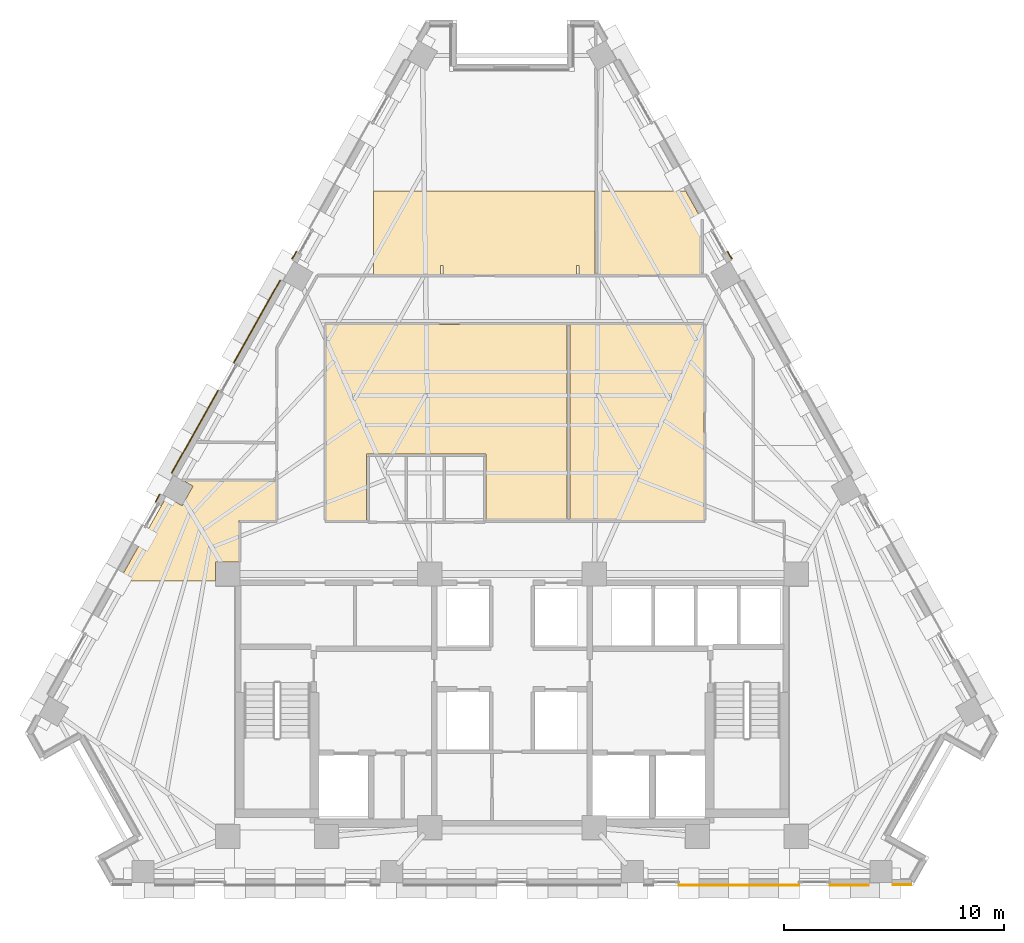
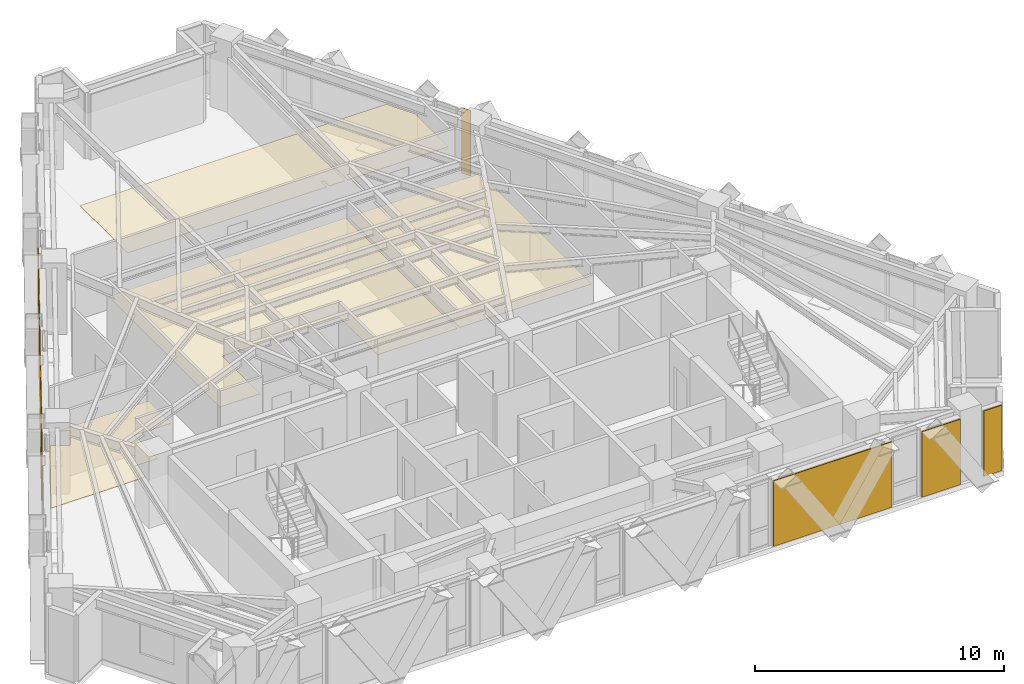
# One storey, part 11 of 13: 13 coverings.
"""IFC4 building model written with IfcOpenShell, lengths in metres."""

from ifc_helpers import new_model, si_unit, direction, frame, origin, place, context, subcontext, project, spatial, polyline, outline, extrude, material, layer, layer_set, type_object, element, save


model = new_model("IFC4")

# Units and contexts
model_context = context("Model", 3, precision=1e-05, world=origin(), true_north=direction((0.0, 1.0)))
body_context = subcontext(model_context, "Body", "Model", "MODEL_VIEW")
ifc_project = project(units=[si_unit("LENGTHUNIT", "METRE"), si_unit("AREAUNIT", "SQUARE_METRE"), si_unit("VOLUMEUNIT", "CUBIC_METRE"), si_unit("PLANEANGLEUNIT", "RADIAN"), si_unit("MASSUNIT", "GRAM", prefix="KILO")], contexts=[model_context])

# Site, building, storey
site_placement = place(None, origin())
site = spatial("IfcSite", under=ifc_project, at=site_placement, CompositionType="ELEMENT")
building_placement = place(site_placement, origin())
building = spatial("IfcBuilding", under=site, at=building_placement, Name="Quenlor Broadcast Tower", CompositionType="ELEMENT")
storey_placement = place(building_placement, frame((0.0, 0.0, 161.5)))
storey = spatial("IfcBuildingStorey", under=building, at=storey_placement, Name="L44", CompositionType="ELEMENT", Elevation=161.5)

# Coverings
ifc_material_1 = material(Name="Acoustic Mineral Fibre Board", Category="other")
ifc_layer_1 = layer(ifc_material_1, 0.02490234375)
ifc_layer_set_1 = layer_set([ifc_layer_1], Name="Acoustic Perforated Mineral Tile Ceiling 25")
covering_type_1 = type_object("IfcCoveringType", Name="Acoustic Perforated Mineral Tile Ceiling 25", PredefinedType="CEILING", material=ifc_layer_set_1)
covering_1_placement = place(storey_placement, frame((0.0, 0.0, 2.375)))
element("IfcCovering", 1, at=covering_1_placement, inside=storey, type_object=covering_type_1, Name="L44 Acoustic Ceiling L44-29", PredefinedType="CEILING", context=body_context, shape_type="SweptSolid", body=[
    extrude(outline(polyline([(3.780029296875, 8.830078125), (3.06005859375, 8.830078125), (3.06005859375, 9.25), (2.93994140625, 9.25), (2.93994140625, 8.830078125), (-3.139892578125, 8.830078125), (-3.139892578125, 9.25), (-3.260009765625, 9.25), (-3.260009765625, 8.830078125), (-6.300048828125, 8.830078125), (-6.300048828125, 12.64990234375), (3.780029296875, 12.64990234375), (3.780029296875, 8.830078125)])), origin(), (0.0, 0.0, 1.0), 0.02490234375),
])
covering_2_placement = place(storey_placement, frame((0.0, 0.0, 2.375)))
element("IfcCovering", 2, at=covering_2_placement, inside=storey, type_object=covering_type_1, Name="L44 Acoustic Ceiling L44-30", PredefinedType="CEILING", context=body_context, shape_type="SweptSolid", body=[
    extrude(outline(polyline([(3.89990234375, 12.64990234375), (7.90673828125, 12.64990234375), (8.580078125, 11.453125), (8.580078125, 8.830078125), (3.89990234375, 8.830078125), (3.89990234375, 12.64990234375)])), origin(), (0.0, 0.0, 1.0), 0.02490234375),
])
covering_3_placement = place(storey_placement, frame((0.0, 0.0, 2.375)))
element("IfcCovering", 3, at=covering_3_placement, inside=storey, type_object=covering_type_1, Name="L44 Acoustic Ceiling L44-33", PredefinedType="CEILING", context=body_context, shape_type="SweptSolid", body=[
    extrude(outline(polyline([(-1.179931640625, -2.3701171875), (-1.179931640625, 0.669921875), (-3.2900390625, 0.669921875), (-6.6201171875, 0.669921875), (-6.6201171875, -2.3701171875), (-8.485107421875, -2.3701171875), (-8.485107421875, 6.570068359375), (-3.2900390625, 6.570068359375), (2.510986328125, 6.570068359375), (2.510986328125, -2.3701171875), (-1.179931640625, -2.3701171875)])), origin(), (0.0, 0.0, 1.0), 0.02490234375),
])
covering_4_placement = place(storey_placement, frame((0.0, 0.0, 2.375)))
element("IfcCovering", 4, at=covering_4_placement, inside=storey, type_object=covering_type_1, Name="L44 Acoustic Ceiling L44-34", PredefinedType="CEILING", context=body_context, shape_type="SweptSolid", body=[
    extrude(outline(polyline([(2.909912109375, -2.3701171875), (2.631103515625, -2.3701171875), (2.631103515625, 6.570068359375), (2.909912109375, 6.570068359375), (8.7548828125, 6.570068359375), (8.7548828125, -2.3701171875), (2.909912109375, -2.3701171875)])), origin(), (0.0, 0.0, 1.0), 0.02490234375),
])
covering_5_placement = place(storey_placement, frame((0.0, 0.0, 2.375)))
element("IfcCovering", 5, at=covering_5_placement, inside=storey, type_object=covering_type_1, Name="L44 Acoustic Ceiling L44-36", PredefinedType="CEILING", context=body_context, shape_type="SweptSolid", body=[
    extrude(outline(polyline([(-15.7431640625, -1.281494140625), (-15.0302734375, -1.6826171875), (-14.5322265625, -0.797119140625), (-14.952880859375, -0.560302734375), (-10.7451171875, -0.560302734375), (-10.7451171875, -2.3701171875), (-12.43994140625, -2.3701171875), (-12.43994140625, -4.241943359375), (-13.508056640625, -4.241943359375), (-13.508056640625, -5.1201171875), (-17.90234375, -5.1201171875), (-15.7431640625, -1.281494140625)])), origin(), (0.0, 0.0, 1.0), 0.02490234375),
])
ifc_material_2 = material(Name="Architectural Terracotta Ceramic", Category="masonry")
ifc_layer_2 = layer(ifc_material_2, 0.044921875)
ifc_layer_set_2 = layer_set([ifc_layer_2], Name="Fluted Terracotta Rainscreen Cladding Panel")
covering_type_2 = type_object("IfcCoveringType", Name="Fluted Terracotta Rainscreen Cladding Panel", PredefinedType="CLADDING", material=ifc_layer_set_2)
covering_6_placement = place(storey_placement, frame((0.0, 0.0, 0.02001953125)))
element("IfcCovering", 6, at=covering_6_placement, inside=storey, type_object=covering_type_2, Name="L44 Terracotta Rainscreen Cladding L44-SHD-SS0", PredefinedType="CLADDING", context=body_context, shape_type="SweptSolid", body=[
    extrude(outline(polyline([(18.179931640625, -18.93701171875), (17.343505859375, -18.93701171875), (17.343505859375, -18.98193359375), (18.179931640625, -18.98193359375), (18.179931640625, -18.93701171875)])), origin(), (0.0, 0.0, 1.0), 3.2099609375),
])
covering_7_placement = place(storey_placement, frame((0.0, 0.0, 0.02001953125)))
element("IfcCovering", 7, at=covering_7_placement, inside=storey, type_object=covering_type_2, Name="L44 Terracotta Rainscreen Cladding L44-SA-SP1", PredefinedType="CLADDING", context=body_context, shape_type="SweptSolid", body=[
    extrude(outline(polyline([(16.25341796875, -18.95703125), (14.47509765625, -18.95703125), (14.47509765625, -19.001953125), (16.25341796875, -19.001953125), (16.25341796875, -18.95703125)])), origin(), (0.0, 0.0, 1.0), 3.2099609375),
])
covering_8_placement = place(storey_placement, frame((0.0, 0.0, 0.02001953125)))
element("IfcCovering", 8, at=covering_8_placement, inside=storey, type_object=covering_type_2, Name="L44 Terracotta Rainscreen Cladding L44-SA-SP2", PredefinedType="CLADDING", context=body_context, shape_type="SweptSolid", body=[
    extrude(outline(polyline([(13.076904296875, -18.95703125), (7.5869140625, -18.95703125), (7.5869140625, -19.001953125), (13.076904296875, -19.001953125), (13.076904296875, -18.95703125)])), origin(), (0.0, 0.0, 1.0), 3.2099609375),
])
covering_9_placement = place(storey_placement, frame((0.0, 0.0, 0.02001953125)))
element("IfcCovering", 9, at=covering_9_placement, inside=storey, type_object=covering_type_2, Name="L44 Terracotta Rainscreen Cladding L44-NEA-SP3", PredefinedType="CLADDING", context=body_context, shape_type="SweptSolid", body=[
    extrude(outline(polyline([(9.803955078125, 9.88330078125), (10.0, 9.53466796875), (10.039306640625, 9.556640625), (9.843017578125, 9.9052734375), (9.803955078125, 9.88330078125)])), origin(), (0.0, 0.0, 1.0), 3.2099609375),
])
covering_10_placement = place(storey_placement, frame((0.0, 0.0, 0.02001953125)))
element("IfcCovering", 10, at=covering_10_placement, inside=storey, type_object=covering_type_2, Name="L44 Terracotta Rainscreen Cladding L44-NWA-SP3", PredefinedType="CLADDING", context=body_context, shape_type="SweptSolid", body=[
    extrude(outline(polyline([(-16.22119140625, -1.525390625), (-16.025146484375, -1.1767578125), (-16.064453125, -1.15478515625), (-16.260498046875, -1.50341796875), (-16.22119140625, -1.525390625)])), origin(), (0.0, 0.0, 1.0), 3.2099609375),
])
covering_11_placement = place(storey_placement, frame((0.0, 0.0, 0.02001953125)))
element("IfcCovering", 11, at=covering_11_placement, inside=storey, type_object=covering_type_2, Name="L44 Terracotta Rainscreen Cladding L44-NWC-SP1", PredefinedType="CLADDING", context=body_context, shape_type="SweptSolid", body=[
    extrude(outline(polyline([(-10.0, 9.53466796875), (-9.803955078125, 9.88330078125), (-9.843017578125, 9.9052734375), (-10.039306640625, 9.556640625), (-10.0, 9.53466796875)])), origin(), (0.0, 0.0, 1.0), 3.2099609375),
])
covering_12_placement = place(storey_placement, frame((0.0, 0.0, 0.02001953125)))
element("IfcCovering", 12, at=covering_12_placement, inside=storey, type_object=covering_type_2, Name="L44 Terracotta Rainscreen Cladding L44-NW-SP1", PredefinedType="CLADDING", context=body_context, shape_type="SweptSolid", body=[
    extrude(outline(polyline([(-15.4833984375, -0.213623046875), (-13.367919921875, 3.547119140625), (-13.4072265625, 3.569091796875), (-15.522705078125, -0.191650390625), (-15.4833984375, -0.213623046875)])), origin(), (0.0, 0.0, 1.0), 3.2099609375),
])
covering_13_placement = place(storey_placement, frame((0.0, 0.0, 0.02001953125)))
element("IfcCovering", 13, at=covering_13_placement, inside=storey, type_object=covering_type_2, Name="L44 Terracotta Rainscreen Cladding L44-NW-SP2", PredefinedType="CLADDING", context=body_context, shape_type="SweptSolid", body=[
    extrude(outline(polyline([(-12.656982421875, 4.810791015625), (-10.541748046875, 8.571533203125), (-10.580810546875, 8.593505859375), (-12.6962890625, 4.832763671875), (-12.656982421875, 4.810791015625)])), origin(), (0.0, 0.0, 1.0), 3.2099609375),
])

save(model, "model.ifc")
